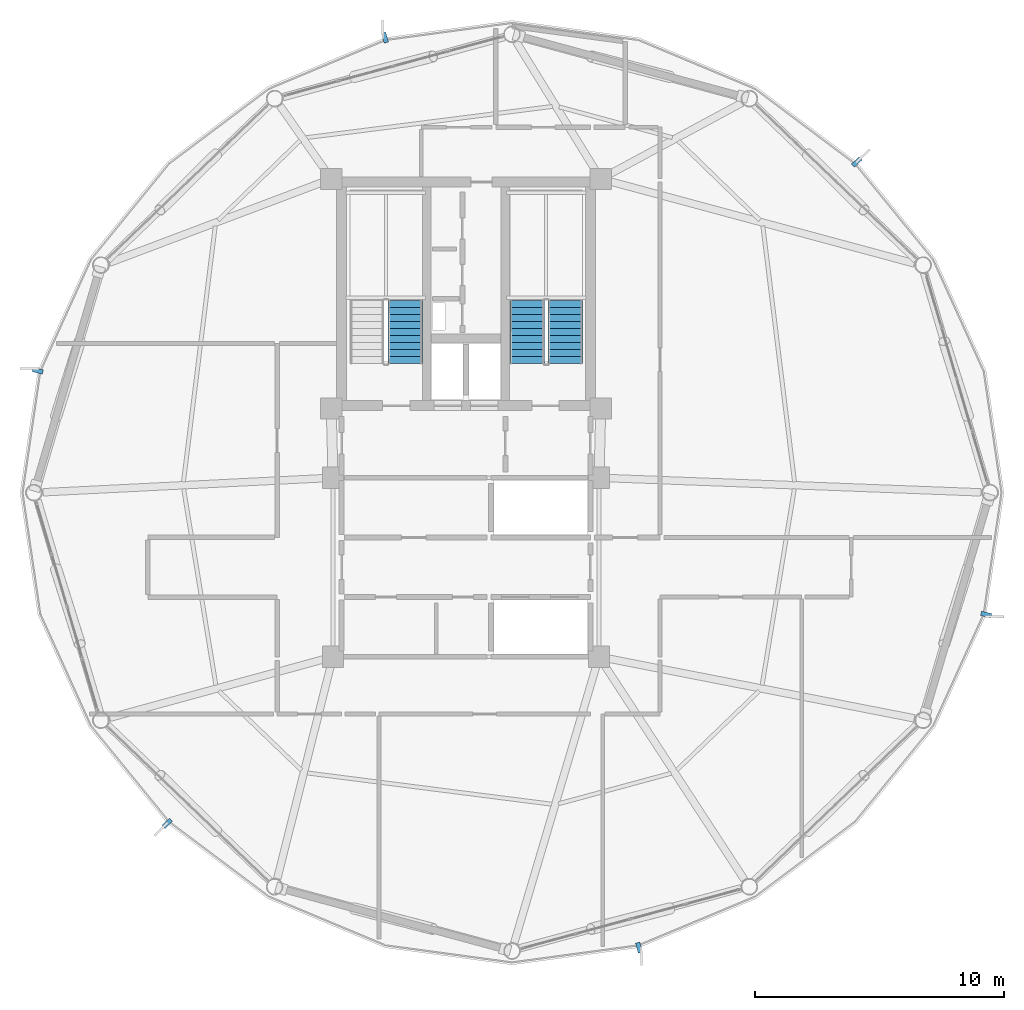
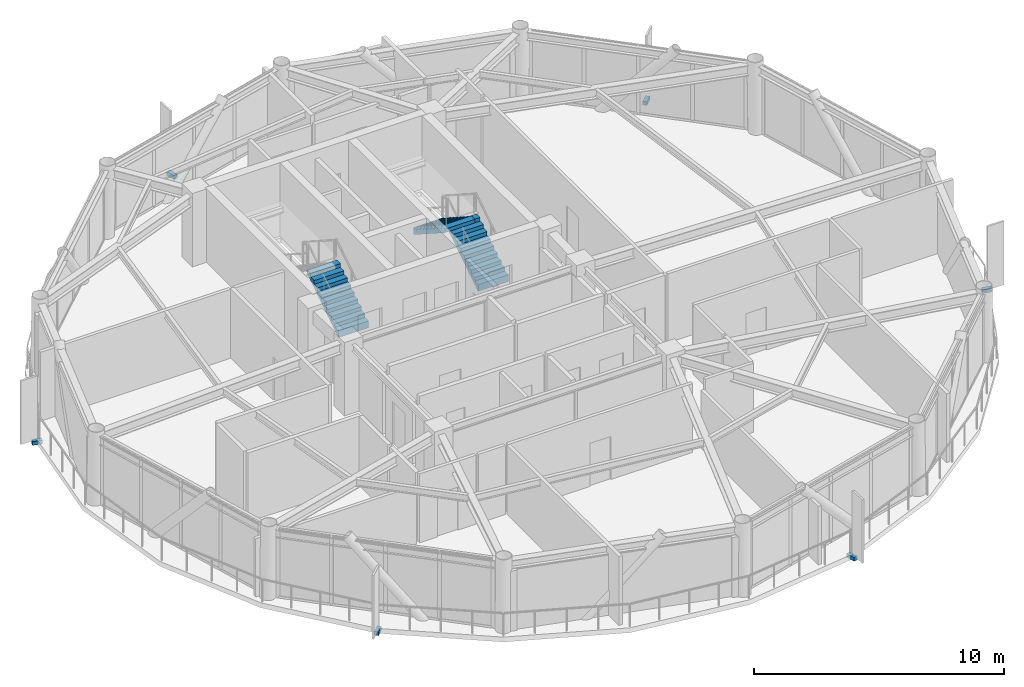
# One storey, part 25 of 28: 6 discrete accessories, 3 stair flights, 2 elements without a shape of their own.
"""IFC4 building model written with IfcOpenShell, lengths in metres."""

from ifc_helpers import new_model, si_unit, direction, frame, origin, origin_2d, place, context, subcontext, project, spatial, polyline, rectangle, outline, extrude, source, transform, mapped, material, type_object, type_shapes, element, aggregate, save


model = new_model("IFC4")

# Units and contexts
model_context = context("Model", 3, precision=1e-05, world=origin(), true_north=direction((0.0, 1.0)))
body_context = subcontext(model_context, "Body", "Model", "MODEL_VIEW")
ifc_project = project(units=[si_unit("LENGTHUNIT", "METRE"), si_unit("AREAUNIT", "SQUARE_METRE"), si_unit("VOLUMEUNIT", "CUBIC_METRE"), si_unit("PLANEANGLEUNIT", "RADIAN"), si_unit("MASSUNIT", "GRAM", prefix="KILO")], contexts=[model_context])

# Site, building, storey
site_placement = place(None, origin())
site = spatial("IfcSite", under=ifc_project, at=site_placement, CompositionType="ELEMENT")
building_placement = place(site_placement, origin())
building = spatial("IfcBuilding", under=site, at=building_placement, Name="Varnakorn Sky Granary", CompositionType="ELEMENT")
storey_placement = place(building_placement, frame((0.0, 0.0, 207.60009765625)))
storey = spatial("IfcBuildingStorey", under=building, at=storey_placement, Name="L52", CompositionType="ELEMENT", Elevation=207.60009765625)

# Stair, stair flight
ifc_material_1 = material(Name="Concrete C40/50", Category="concrete")
stair_type = type_object("IfcStairType", Name="ST-MAIN-ASSEMBLY", PredefinedType="HALF_TURN_STAIR", material=ifc_material_1)
stair_1_placement = place(storey_placement, origin())
stair_1 = element("IfcStair", 1, at=stair_1_placement, inside=storey, type_object=stair_type, Name="L52 Protected Exit Stair ST-1", PredefinedType="HALF_TURN_STAIR")
stair_flight_type = type_object("IfcStairFlightType", Name="ST-MAIN-FLIGHT", PredefinedType="STRAIGHT", material=ifc_material_1)
stair_flight_1_placement = place(storey_placement, frame((0.550048828125, 5.199951171875, 0.0), z_axis=(0.0, 0.0, 1.0), x_axis=(0.0, 1.0, 0.0)))
stair_flight_1 = element("IfcStairFlight", 2, at=stair_flight_1_placement, type_object=stair_flight_type, Name="ST-1 flight 1", NumberOfRisers=10, NumberOfTreads=9, PredefinedType="STRAIGHT", RiserHeight=0.18, TreadLength=0.28, context=body_context, shape_type="SweptSolid", body=[
    extrude(outline(polyline([(0.0, -0.14990234375), (0.0, 0.0), (0.0, 0.179931640625), (0.280029296875, 0.179931640625), (0.280029296875, 0.360107421875), (0.56005859375, 0.360107421875), (0.56005859375, 0.5400390625), (0.840087890625, 0.5400390625), (0.840087890625, 0.719970703125), (1.1201171875, 0.719970703125), (1.1201171875, 0.89990234375), (1.39990234375, 0.89990234375), (1.39990234375, 1.080078125), (1.679931640625, 1.080078125), (1.679931640625, 1.260009765625), (1.9599609375, 1.260009765625), (1.9599609375, 1.43994140625), (2.239990234375, 1.43994140625), (2.239990234375, 1.6201171875), (2.52001953125, 1.6201171875), (2.52001953125, 1.800048828125), (2.52001953125, 1.44189453125), (0.050048828125, -0.14990234375), (0.0, -0.14990234375)])), frame((0.0, 0.68994140625, 0.0), z_axis=(0.0, -1.0, 0.0), x_axis=(1.0, 0.0, 0.0)), (0.0, 0.0, 1.0), 1.3798828125),
])
aggregate(stair_1, [stair_flight_1])

# Stair, stair flights
stair_2_placement = place(storey_placement, origin())
stair_2 = element("IfcStair", 3, at=stair_2_placement, inside=storey, type_object=stair_type, Name="L52 Protected Exit Stair ST-2", PredefinedType="HALF_TURN_STAIR")
stair_flight_2_placement = place(storey_placement, frame((6.989990234375, 5.199951171875, 0.0), z_axis=(0.0, 0.0, 1.0), x_axis=(0.0, 1.0, 0.0)))
stair_flight_2 = element("IfcStairFlight", 4, at=stair_flight_2_placement, type_object=stair_flight_type, Name="ST-2 flight 1", NumberOfRisers=10, NumberOfTreads=9, PredefinedType="STRAIGHT", RiserHeight=0.18, TreadLength=0.28, context=body_context, shape_type="SweptSolid", body=[
    extrude(outline(polyline([(0.0, -0.14990234375), (0.0, 0.0), (0.0, 0.179931640625), (0.280029296875, 0.179931640625), (0.280029296875, 0.360107421875), (0.56005859375, 0.360107421875), (0.56005859375, 0.5400390625), (0.840087890625, 0.5400390625), (0.840087890625, 0.719970703125), (1.1201171875, 0.719970703125), (1.1201171875, 0.89990234375), (1.39990234375, 0.89990234375), (1.39990234375, 1.080078125), (1.679931640625, 1.080078125), (1.679931640625, 1.260009765625), (1.9599609375, 1.260009765625), (1.9599609375, 1.43994140625), (2.239990234375, 1.43994140625), (2.239990234375, 1.6201171875), (2.52001953125, 1.6201171875), (2.52001953125, 1.800048828125), (2.52001953125, 1.44189453125), (0.050048828125, -0.14990234375), (0.0, -0.14990234375)])), frame((0.0, 0.68994140625, 0.0), z_axis=(0.0, -1.0, 0.0), x_axis=(1.0, 0.0, 0.0)), (0.0, 0.0, 1.0), 1.3798828125),
])
stair_flight_3_placement = place(storey_placement, frame((5.4599609375, 7.719970703125, 1.7998046875), z_axis=(0.0, 0.0, 1.0), x_axis=(0.0, -1.0, 0.0)))
stair_flight_3 = element("IfcStairFlight", 5, at=stair_flight_3_placement, type_object=stair_flight_type, Name="ST-2 flight 2", NumberOfRisers=10, NumberOfTreads=9, PredefinedType="STRAIGHT", RiserHeight=0.18, TreadLength=0.28, context=body_context, shape_type="SweptSolid", body=[
    extrude(outline(polyline([(0.0, -0.14990234375), (0.0, 0.0), (0.0, 0.179931640625), (0.280029296875, 0.179931640625), (0.280029296875, 0.360107421875), (0.56005859375, 0.360107421875), (0.56005859375, 0.5400390625), (0.840087890625, 0.5400390625), (0.840087890625, 0.719970703125), (1.1201171875, 0.719970703125), (1.1201171875, 0.89990234375), (1.39990234375, 0.89990234375), (1.39990234375, 1.080078125), (1.679931640625, 1.080078125), (1.679931640625, 1.260009765625), (1.9599609375, 1.260009765625), (1.9599609375, 1.43994140625), (2.239990234375, 1.43994140625), (2.239990234375, 1.6201171875), (2.52001953125, 1.6201171875), (2.52001953125, 1.800048828125), (2.52001953125, 1.44189453125), (0.050048828125, -0.14990234375), (0.0, -0.14990234375)])), frame((0.0, 0.68994140625, 0.0), z_axis=(0.0, -1.0, 0.0), x_axis=(1.0, 0.0, 0.0)), (0.0, 0.0, 1.0), 1.3798828125),
])
aggregate(stair_2, [stair_flight_2, stair_flight_3])

# Discrete accessories
ifc_material_2 = material(Name="Steel S355JR", Category="steel")
discrete_accessory_type = type_object("IfcDiscreteAccessoryType", Name="AC-BRK-01", PredefinedType="BRACKET", material=ifc_material_2)
shared_shape = source(origin(), body_context, "Body", "SweptSolid", [
    extrude(rectangle(XDim=0.179931640625, YDim=0.419921875, at=origin_2d()), origin(), (0.0, 0.0, 1.0), 0.179931640625),
])
type_shapes(discrete_accessory_type, [shared_shape])
for number, where, z_axis, x_axis, name in (
    (6, (18.718017578125, 13.302490234375, -0.2001953125), (0.0, 0.0, 1.0), (-0.692236371164, 0.721670843555, 0.0), "Facade Solar-Screen Outrigger Bracket L52-02"),
    (7, (-0.26171875, 18.303955078125, -0.2001953125), (0.0, 0.0, 1.0), (-0.963148747225, -0.268969311854, 0.0), "Facade Solar-Screen Outrigger Bracket L52-04"),
    (8, (-14.222412109375, 4.903564453125, -0.2001953125), (0.0, 0.0, 1.0), (-0.248999004588, -0.968503740682, 0.0), "Facade Solar-Screen Outrigger Bracket L52-06"),
    (9, (-9.01806640625, -13.302490234375, -0.2001953125), (0.0, 0.0, 1.0), (0.692236371164, -0.721670843555, 0.0), "Facade Solar-Screen Outrigger Bracket L52-08"),
    (10, (9.961669921875, -18.303955078125, -0.2001953125), (0.0, 0.0, 1.0), (0.963148747225, 0.268969311854, 0.0), "Facade Solar-Screen Outrigger Bracket L52-10"),
    (11, (23.922607421875, -4.903564453125, -0.2001953125), (0.0, 0.0, 1.0), (0.248999004588, 0.968503740682, 0.0), "Facade Solar-Screen Outrigger Bracket L52-12"),
):
    element("IfcDiscreteAccessory", number, at=place(storey_placement, frame(where, z_axis=z_axis, x_axis=x_axis)), inside=storey, type_object=discrete_accessory_type, Name=name, PredefinedType="BRACKET", context=body_context, shape_type="MappedRepresentation", body=[
        mapped(shared_shape, transform((0.0, 0.0, 0.0), x_axis=(1.0, 0.0, 0.0), y_axis=(0.0, 1.0, 0.0), z_axis=(0.0, 0.0, 1.0), scale=1.0)),
    ])

save(model, "model.ifc")
